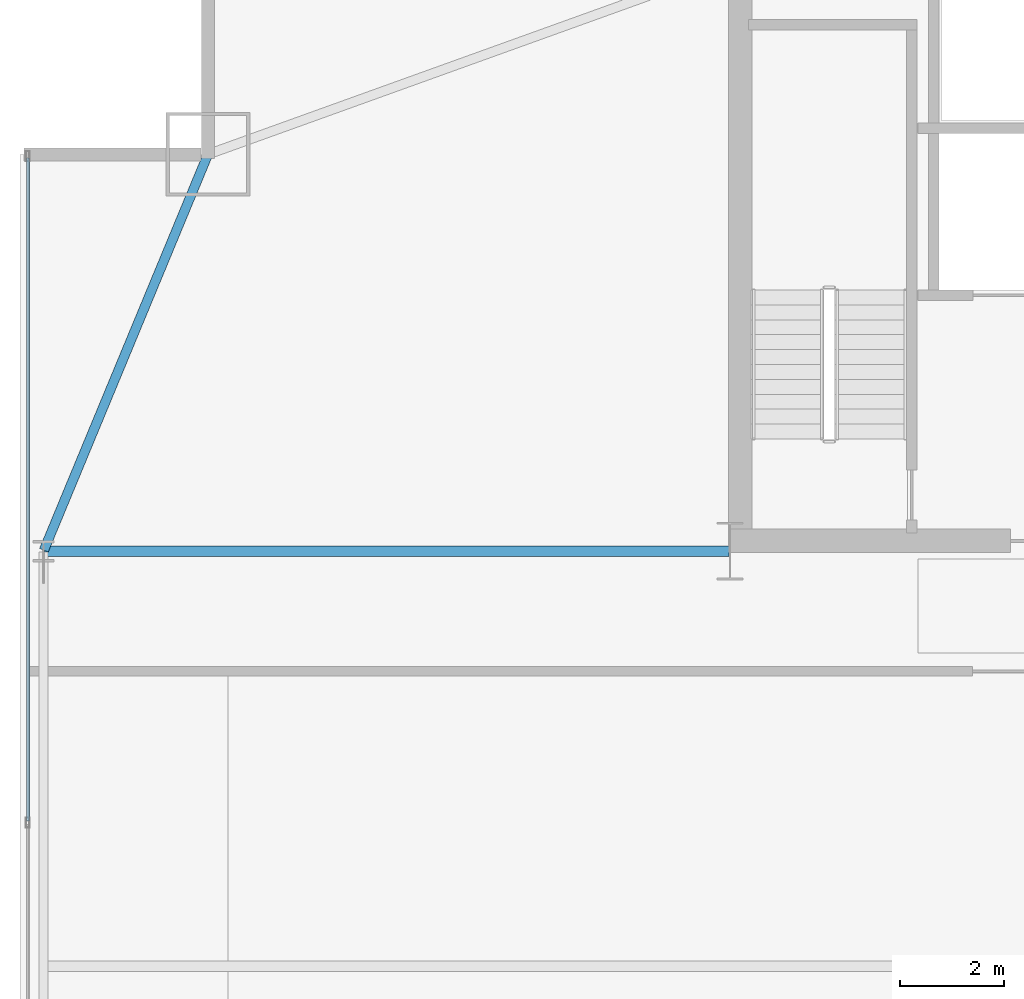
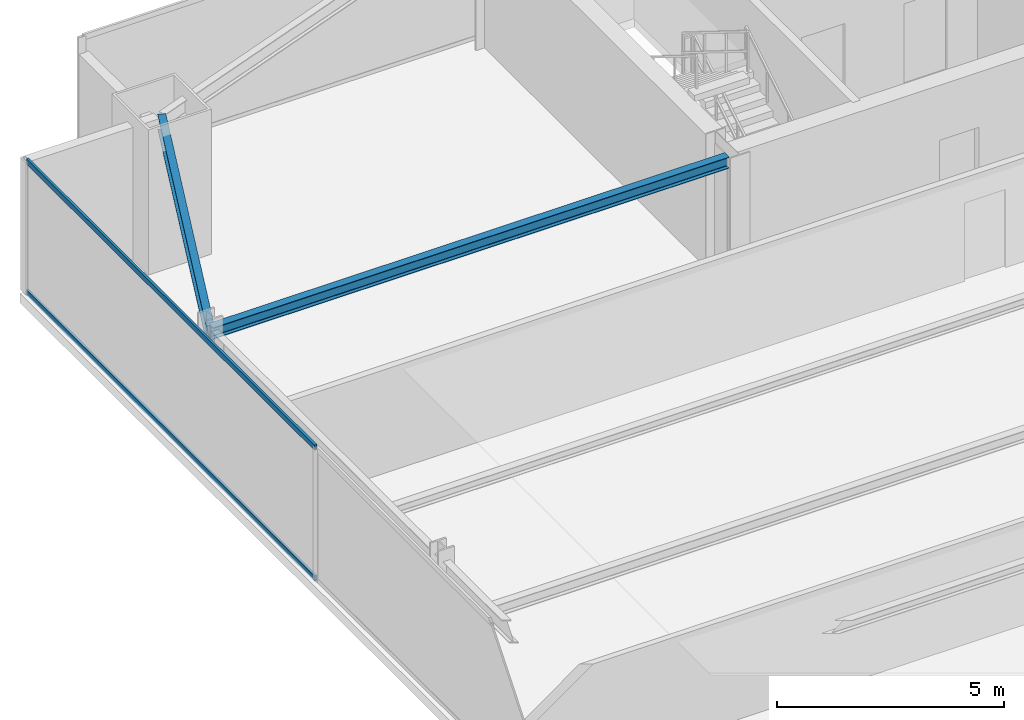
# One storey, part 21 of 32: 2 beams, 2 members, 1 element without a shape of its own.
"""IFC4 building model written with IfcOpenShell, lengths in metres."""

from ifc_helpers import new_model, si_unit, direction, frame, origin, origin_2d, place, context, subcontext, project, spatial, hollow_rectangle, i_section, extrude, source, transform, mapped, material, layer, layer_set, material_profile, profile_set, type_object, type_shapes, element, aggregate, save


model = new_model("IFC4")

# Units and contexts
model_context = context("Model", 3, precision=1e-05, world=origin(), true_north=direction((0.0, 1.0)))
body_context = subcontext(model_context, "Body", "Model", "MODEL_VIEW")
ifc_project = project(units=[si_unit("LENGTHUNIT", "METRE"), si_unit("AREAUNIT", "SQUARE_METRE"), si_unit("VOLUMEUNIT", "CUBIC_METRE"), si_unit("PLANEANGLEUNIT", "RADIAN"), si_unit("MASSUNIT", "GRAM", prefix="KILO")], contexts=[model_context])

# Site, building, storey
site_placement = place(None, origin())
site = spatial("IfcSite", under=ifc_project, at=site_placement, CompositionType="ELEMENT")
building_placement = place(site_placement, origin())
building = spatial("IfcBuilding", under=site, at=building_placement, Name="Varnel Quay Broadcast Tower", CompositionType="ELEMENT")
storey_placement = place(building_placement, frame((0.0, 0.0, 78.300048828125)))
storey = spatial("IfcBuildingStorey", under=building, at=storey_placement, Name="L18", CompositionType="ELEMENT", Elevation=78.300048828125)

# Beams
ifc_material_1 = material(Name="Structural Steel CSA G40.21 350W", Category="steel")
ifc_material_profile_1 = material_profile(ifc_material_1, i_section(OverallWidth=0.180908203125, OverallDepth=0.4169921875, WebThickness=0.010986328125, FlangeThickness=0.018310546875, FilletRadius=0.011962890625, at=origin_2d()), Name="W410X85")
ifc_profile_set_1 = profile_set([ifc_material_profile_1], Name="Structural Steel CSA G40.21 350W")
beam_type_1 = type_object("IfcBeamType", Name="Beam_W410X85", PredefinedType="SPANDREL", material=ifc_profile_set_1)
shared_shape_1 = source(origin(), body_context, "Body", "SweptSolid", [
    extrude(i_section(OverallWidth=0.180908203125, OverallDepth=0.4169921875, WebThickness=0.010986328125, FlangeThickness=0.018310546875, FilletRadius=0.011962890625, at=origin_2d()), origin(), (0.0, 0.0, 1.0), 8.186767578125),
])
type_shapes(beam_type_1, [shared_shape_1])
beam_1_placement = place(storey_placement, frame((2.457763671875, 35.618408203125, 3.371337890625), z_axis=(0.382874132092, 0.923800519038, 0.0), x_axis=(-0.923800519038, 0.382874132092, 0.0)))
element("IfcBeam", 1, at=beam_1_placement, inside=storey, type_object=beam_type_1, Name="L18 West Spandrel TC-W3-MC-NW", PredefinedType="SPANDREL", context=body_context, shape_type="MappedRepresentation", body=[
    mapped(shared_shape_1, transform((0.0, 0.0, 0.0), x_axis=(1.0, 0.0, 0.0), y_axis=(0.0, 1.0, 0.0), z_axis=(0.0, 0.0, 1.0), scale=1.0)),
])
ifc_material_profile_2 = material_profile(ifc_material_1, i_section(OverallWidth=0.202880859375, OverallDepth=0.302978515625, WebThickness=0.007568359375, FlangeThickness=0.01318359375, FilletRadius=0.011962890625, at=origin_2d()), Name="W310X60")
ifc_profile_set_2 = profile_set([ifc_material_profile_2], Name="Structural Steel CSA G40.21 350W")
beam_type_2 = type_object("IfcBeamType", Name="Beam_W310X60", PredefinedType="JOIST", material=ifc_profile_set_2)
shared_shape_2 = source(origin(), body_context, "Body", "SweptSolid", [
    extrude(i_section(OverallWidth=0.202880859375, OverallDepth=0.302978515625, WebThickness=0.007568359375, FlangeThickness=0.01318359375, FilletRadius=0.011962890625, at=origin_2d()), origin(), (0.0, 0.0, 1.0), 13.110107421875),
])
type_shapes(beam_type_2, [shared_shape_2])
beam_2_placement = place(storey_placement, frame((2.469970703125, 35.60009765625, 3.428466796875), z_axis=(1.0, 0.0, 0.0), x_axis=(0.0, 1.0, 0.0)))
element("IfcBeam", 2, at=beam_2_placement, inside=storey, type_object=beam_type_2, Name="L18 West Core Tie Joist", PredefinedType="JOIST", context=body_context, shape_type="MappedRepresentation", body=[
    mapped(shared_shape_2, transform((0.0, 0.0, 0.0), x_axis=(1.0, 0.0, 0.0), y_axis=(0.0, 1.0, 0.0), z_axis=(0.0, 0.0, 1.0), scale=1.0)),
])

# Curtain wall, members
ifc_material_2 = material(Name="Anodised Bronze Aluminium 6063-T6", Category="aluminium")
ifc_layer = layer(ifc_material_2, 0.18994140625, Name="Anodised Bronze Aluminium 6063-T6")
ifc_layer_set = layer_set([ifc_layer], Name="Anodised Bronze Aluminium 6063-T6")
curtain_wall_type = type_object("IfcCurtainWallType", Name="CW_LowerTower", PredefinedType="NOTDEFINED", material=ifc_layer_set)
curtain_wall_placement = place(storey_placement, origin())
curtain_wall = element("IfcCurtainWall", 3, at=curtain_wall_placement, inside=storey, type_object=curtain_wall_type, Name="L18 West Unitised Curtain Wall", PredefinedType="NOTDEFINED")
ifc_material_profile_3 = material_profile(ifc_material_2, hollow_rectangle(XDim=0.06005859375, YDim=0.14501953125, WallThickness=0.00341796875, at=origin_2d()), Name="ALU60X145X3.5")
ifc_profile_set_3 = profile_set([ifc_material_profile_3], Name="Anodised Bronze Aluminium 6063-T6")
member_type = type_object("IfcMemberType", Name="Tran_CWS-02", PredefinedType="USERDEFINED", material=ifc_profile_set_3)
shared_shape_3 = source(origin(), body_context, "Body", "SweptSolid", [
    extrude(hollow_rectangle(XDim=0.06005859375, YDim=0.14501953125, WallThickness=0.00341796875, at=origin_2d()), origin(), (0.0, 0.0, 1.0), 12.69482421875),
])
type_shapes(member_type, [shared_shape_3])
member_1_placement = place(storey_placement, frame((2.14990234375, 30.43505859375, 0.030029296875), z_axis=(0.0, 1.0, 0.0), x_axis=(-1.0, 0.0, 0.0)))
member_1 = element("IfcMember", 4, at=member_1_placement, type_object=member_type, Name="CWS-02 transom 3.1", ObjectType="TRANSOM", PredefinedType="USERDEFINED", context=body_context, shape_type="MappedRepresentation", body=[
    mapped(shared_shape_3, transform((0.0, 0.0, 0.0), x_axis=(1.0, 0.0, 0.0), y_axis=(0.0, 1.0, 0.0), z_axis=(0.0, 0.0, 1.0), scale=1.0)),
])
member_2_placement = place(storey_placement, frame((2.14990234375, 30.43505859375, 3.550048828125), z_axis=(0.0, 1.0, 0.0), x_axis=(-1.0, 0.0, 0.0)))
member_2 = element("IfcMember", 5, at=member_2_placement, type_object=member_type, Name="CWS-02 transom 3.2", ObjectType="TRANSOM", PredefinedType="USERDEFINED", context=body_context, shape_type="MappedRepresentation", body=[
    mapped(shared_shape_3, transform((0.0, 0.0, 0.0), x_axis=(1.0, 0.0, 0.0), y_axis=(0.0, 1.0, 0.0), z_axis=(0.0, 0.0, 1.0), scale=1.0)),
])
aggregate(curtain_wall, [member_1, member_2])

save(model, "model.ifc")
